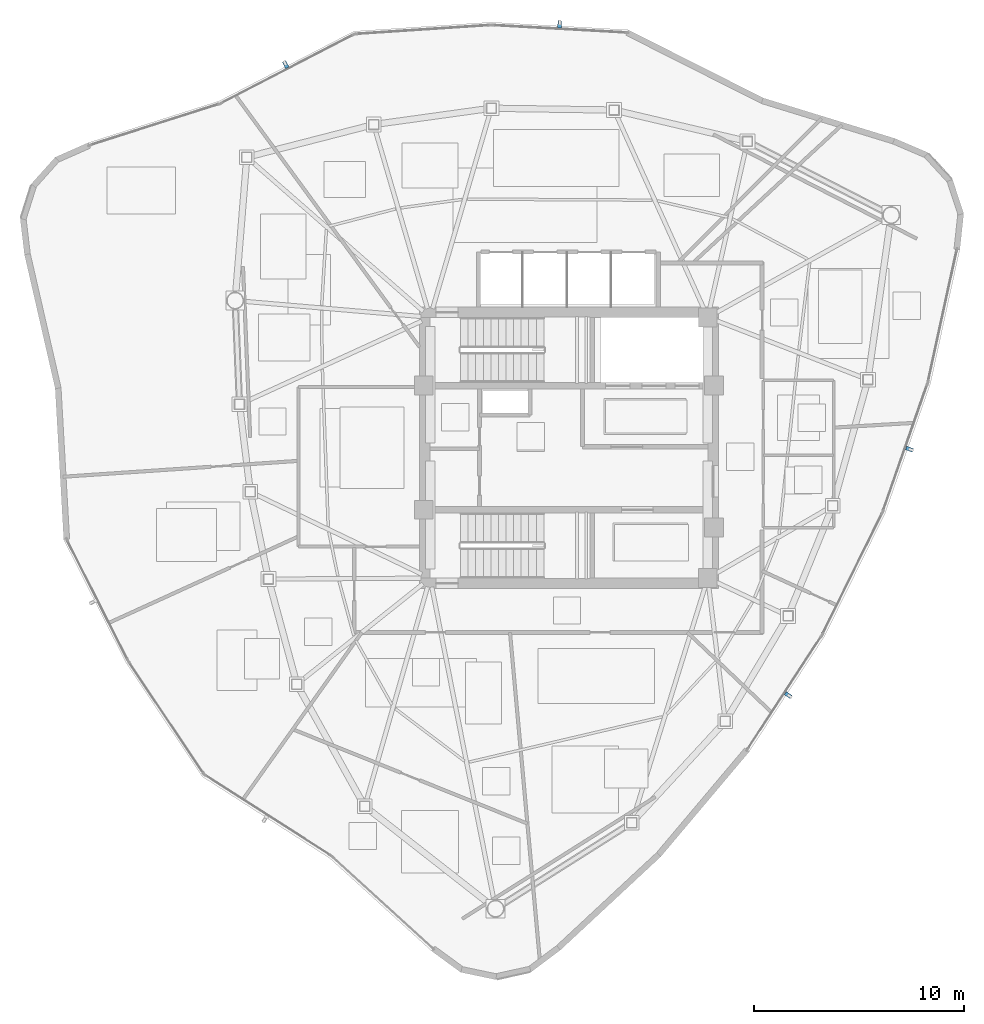
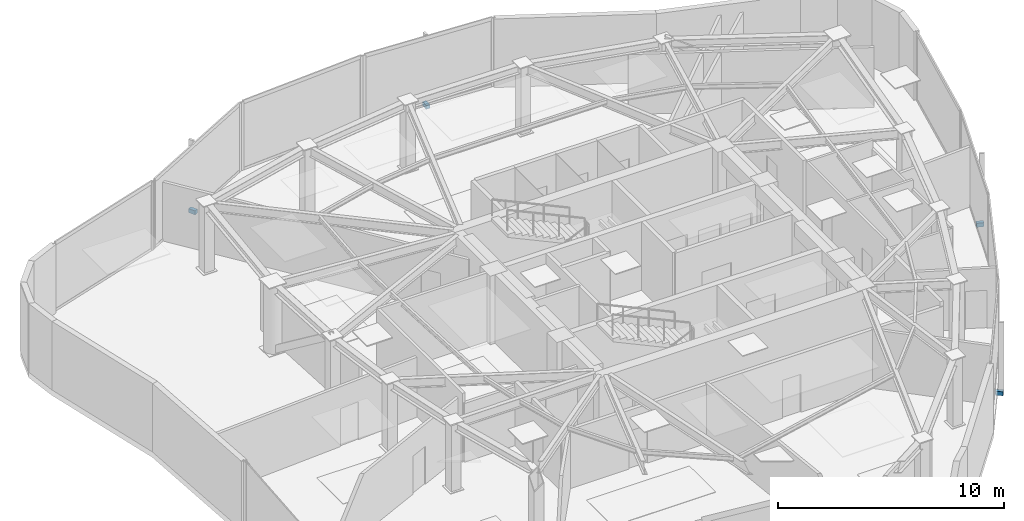
# One storey, part 10 of 13: 4 discrete accessories.
"""IFC4 building model written with IfcOpenShell, lengths in metres."""

from ifc_helpers import new_model, si_unit, direction, frame, origin, origin_2d, place, context, subcontext, project, spatial, rectangle, extrude, source, transform, mapped, material, type_object, type_shapes, element, save


model = new_model("IFC4")

# Units and contexts
model_context = context("Model", 3, precision=1e-05, world=origin(), true_north=direction((0.0, 1.0)))
body_context = subcontext(model_context, "Body", "Model", "MODEL_VIEW")
ifc_project = project(units=[si_unit("LENGTHUNIT", "METRE"), si_unit("AREAUNIT", "SQUARE_METRE"), si_unit("VOLUMEUNIT", "CUBIC_METRE"), si_unit("PLANEANGLEUNIT", "RADIAN"), si_unit("MASSUNIT", "GRAM", prefix="KILO")], contexts=[model_context])

# Site, building, storey
site_placement = place(None, origin())
site = spatial("IfcSite", under=ifc_project, at=site_placement, CompositionType="ELEMENT")
building_placement = place(site_placement, origin())
building = spatial("IfcBuilding", under=site, at=building_placement, Name="Tavelor Broadcast Tower", CompositionType="ELEMENT")
storey_placement = place(building_placement, frame((0.0, 0.0, 297.5)))
storey = spatial("IfcBuildingStorey", under=building, at=storey_placement, Name="L71", CompositionType="ELEMENT", Elevation=297.5)

# Discrete accessories
ifc_material = material(Name="Steel S355", Category="steel")
discrete_accessory_type = type_object("IfcDiscreteAccessoryType", Name="Stainless Baguette Outrigger Support Bracket 260x180", PredefinedType="BRACKET", material=ifc_material)
shared_shape = source(origin(), body_context, "Body", "SweptSolid", [
    extrude(rectangle(XDim=0.179931640625, YDim=0.340087890625, at=origin_2d()), origin(), (0.0, 0.0, 1.0), 0.216064453125),
])
type_shapes(discrete_accessory_type, [shared_shape])
for number, where, z_axis, x_axis, name in (
    (1, (60.428466796875, 33.240234375, -0.2578125), (0.0, 0.0, 1.0), (0.547125019684, 0.837050902177, 0.0), "L71 Baguette Outrigger Bracket 699"),
    (2, (66.18798828125, 44.932373046875, -0.2578125), (0.0, 0.0, 1.0), (0.330020174407, 0.943973879132, 0.0), "L71 Baguette Outrigger Bracket 700"),
    (3, (49.55908203125, 65.12890625, -0.2578125), (0.0, 0.0, 1.0), (-0.998460188734, 0.055472980025, 0.0), "L71 Baguette Outrigger Bracket 701"),
    (4, (36.537353515625, 63.212890625, -0.2578125), (0.0, 0.0, 1.0), (-0.888136448814, -0.459579860621, 0.0), "L71 Baguette Outrigger Bracket 702"),
):
    element("IfcDiscreteAccessory", number, at=place(storey_placement, frame(where, z_axis=z_axis, x_axis=x_axis)), inside=storey, type_object=discrete_accessory_type, Name=name, PredefinedType="BRACKET", context=body_context, shape_type="MappedRepresentation", body=[
        mapped(shared_shape, transform((0.0, 0.0, 0.0), scale=1.0)),
    ])

save(model, "model.ifc")
